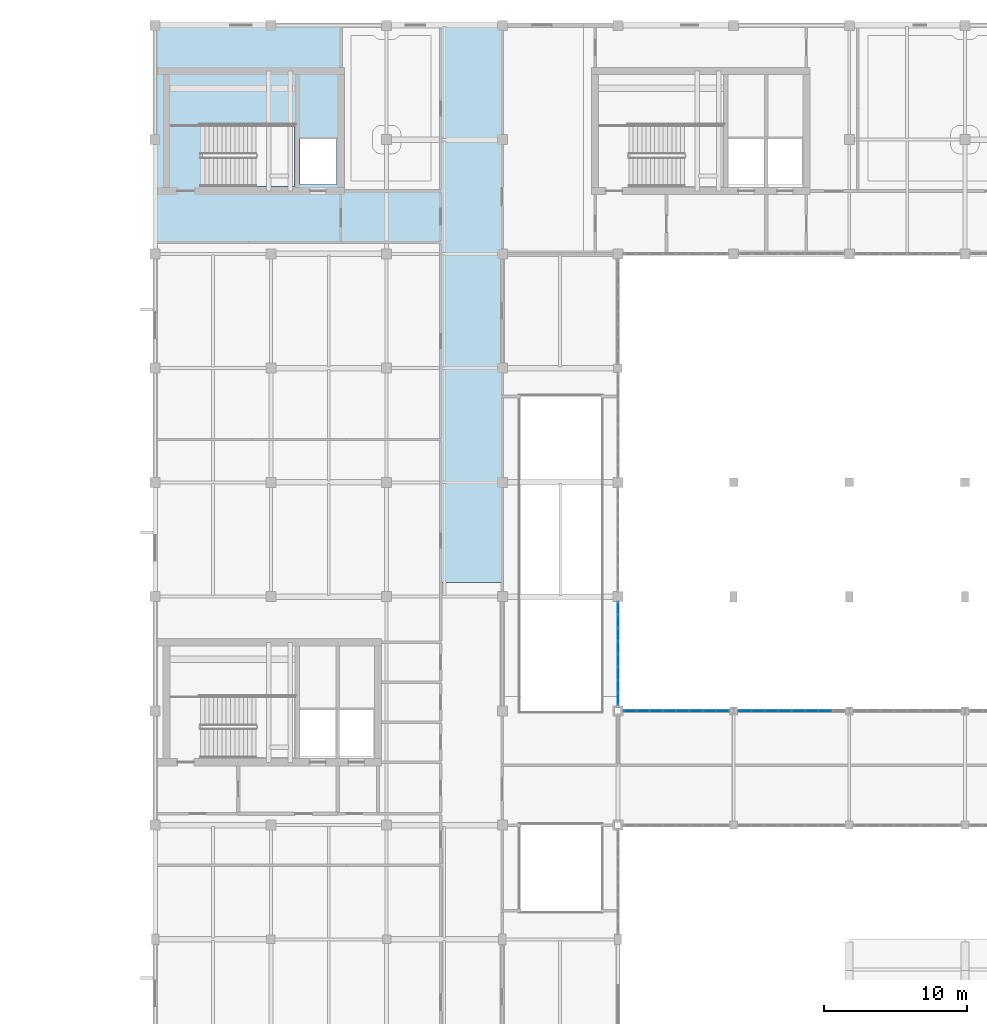
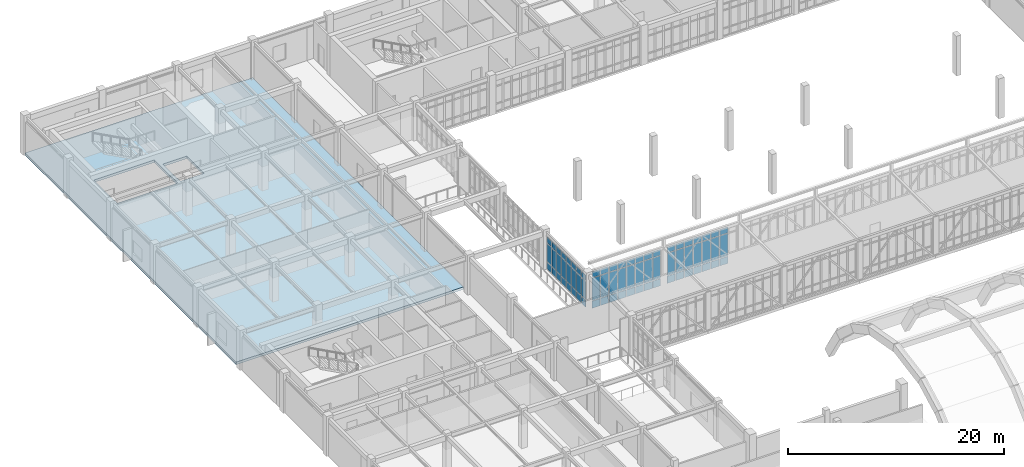
# One storey, part 39 of 67: 69 plates, 1 slab, 3 elements without a shape of their own.
"""IFC4 building model written with IfcOpenShell, lengths in metres."""

from ifc_helpers import new_model, si_unit, direction, frame, origin, origin_2d, place, context, subcontext, project, spatial, polyline, rectangle, outline, extrude, material, layer, layer_set, type_object, element, aggregate, save


model = new_model("IFC4")

# Units and contexts
model_context = context("Model", 3, precision=1e-05, world=origin(), true_north=direction((0.0, 1.0)))
body_context = subcontext(model_context, "Body", "Model", "MODEL_VIEW")
ifc_project = project(units=[si_unit("LENGTHUNIT", "METRE"), si_unit("AREAUNIT", "SQUARE_METRE"), si_unit("VOLUMEUNIT", "CUBIC_METRE"), si_unit("PLANEANGLEUNIT", "RADIAN"), si_unit("MASSUNIT", "GRAM", prefix="KILO")], contexts=[model_context])

# Site, building, storey
site_placement = place(None, origin())
site = spatial("IfcSite", under=ifc_project, at=site_placement, CompositionType="ELEMENT")
building_placement = place(site_placement, origin())
building = spatial("IfcBuilding", under=site, at=building_placement, Name="Tarnveldt Square Police Headquarters", CompositionType="ELEMENT")
storey_placement = place(building_placement, frame((0.0, 0.0, 10.199951171875)))
storey = spatial("IfcBuildingStorey", under=building, at=storey_placement, Name="L02", CompositionType="ELEMENT", Elevation=10.199951171875)

# Curtain wall, plates
ifc_material_1 = material(Name="Triple-glazed low-e laminated vision glass", Category="glass")
curtain_wall_type_1 = type_object("IfcCurtainWallType", Name="CW-WG-727x377", PredefinedType="USERDEFINED", material=ifc_material_1)
curtain_wall_1_placement = place(storey_placement, origin())
curtain_wall_1 = element("IfcCurtainWall", 1, at=curtain_wall_1_placement, inside=storey, type_object=curtain_wall_type_1, Name="L02 Curtain Wall CW-L02-074", ObjectType="GLAZED CURTAIN WALL", PredefinedType="USERDEFINED")
ifc_layer_1 = layer(ifc_material_1, 0.028076171875)
ifc_layer_set_1 = layer_set([ifc_layer_1], Name="Triple-glazed low-e laminated vision glass")
plate_type = type_object("IfcPlateType", Name="CWP-VIS-28", PredefinedType="CURTAIN_PANEL", material=ifc_layer_set_1)
plate_1_placement = place(storey_placement, frame((48.60009765625, 64.838134765625, 0.074951171875), z_axis=(0.0, 0.0, 1.0), x_axis=(0.0, 1.0, 0.0)))
plate_1 = element("IfcPlate", 2, at=plate_1_placement, type_object=plate_type, Name="CW-WG34 panel 1.1", PredefinedType="CURTAIN_PANEL", context=body_context, shape_type="SweptSolid", body=[
    extrude(rectangle(XDim=0.796142578125, YDim=0.028076171875, at=origin_2d()), origin(), (0.0, 0.0, 1.0), 0.78759765625),
])
plate_2_placement = place(storey_placement, frame((48.60009765625, 64.838134765625, 0.9375), z_axis=(0.0, 0.0, 1.0), x_axis=(0.0, 1.0, 0.0)))
plate_2 = element("IfcPlate", 3, at=plate_2_placement, type_object=plate_type, Name="CW-WG34 panel 1.2", PredefinedType="CURTAIN_PANEL", context=body_context, shape_type="SweptSolid", body=[
    extrude(rectangle(XDim=0.796142578125, YDim=0.028076171875, at=origin_2d()), origin(), (0.0, 0.0, 1.0), 2.0439453125),
])
plate_3_placement = place(storey_placement, frame((48.60009765625, 64.838134765625, 3.056640625), z_axis=(0.0, 0.0, 1.0), x_axis=(0.0, 1.0, 0.0)))
plate_3 = element("IfcPlate", 4, at=plate_3_placement, type_object=plate_type, Name="CW-WG34 panel 1.3", PredefinedType="CURTAIN_PANEL", context=body_context, shape_type="SweptSolid", body=[
    extrude(rectangle(XDim=0.796142578125, YDim=0.028076171875, at=origin_2d()), origin(), (0.0, 0.0, 1.0), 0.637451171875),
])
plate_4_placement = place(storey_placement, frame((48.60009765625, 65.72802734375, 0.074951171875), z_axis=(0.0, 0.0, 1.0), x_axis=(0.0, 1.0, 0.0)))
plate_4 = element("IfcPlate", 5, at=plate_4_placement, type_object=plate_type, Name="CW-WG34 panel 2.1", PredefinedType="CURTAIN_PANEL", context=body_context, shape_type="SweptSolid", body=[
    extrude(rectangle(XDim=0.833740234375, YDim=0.028076171875, at=origin_2d()), origin(), (0.0, 0.0, 1.0), 0.78759765625),
])
plate_5_placement = place(storey_placement, frame((48.60009765625, 65.72802734375, 0.9375), z_axis=(0.0, 0.0, 1.0), x_axis=(0.0, 1.0, 0.0)))
plate_5 = element("IfcPlate", 6, at=plate_5_placement, type_object=plate_type, Name="CW-WG34 panel 2.2", PredefinedType="CURTAIN_PANEL", context=body_context, shape_type="SweptSolid", body=[
    extrude(rectangle(XDim=0.833740234375, YDim=0.028076171875, at=origin_2d()), origin(), (0.0, 0.0, 1.0), 2.0439453125),
])
plate_6_placement = place(storey_placement, frame((48.60009765625, 65.72802734375, 3.056640625), z_axis=(0.0, 0.0, 1.0), x_axis=(0.0, 1.0, 0.0)))
plate_6 = element("IfcPlate", 7, at=plate_6_placement, type_object=plate_type, Name="CW-WG34 panel 2.3", PredefinedType="CURTAIN_PANEL", context=body_context, shape_type="SweptSolid", body=[
    extrude(rectangle(XDim=0.833740234375, YDim=0.028076171875, at=origin_2d()), origin(), (0.0, 0.0, 1.0), 0.637451171875),
])
plate_7_placement = place(storey_placement, frame((48.60009765625, 66.636962890625, 0.074951171875), z_axis=(0.0, 0.0, 1.0), x_axis=(0.0, 1.0, 0.0)))
plate_7 = element("IfcPlate", 8, at=plate_7_placement, type_object=plate_type, Name="CW-WG34 panel 3.1", PredefinedType="CURTAIN_PANEL", context=body_context, shape_type="SweptSolid", body=[
    extrude(rectangle(XDim=0.833740234375, YDim=0.028076171875, at=origin_2d()), origin(), (0.0, 0.0, 1.0), 0.78759765625),
])
plate_8_placement = place(storey_placement, frame((48.60009765625, 66.636962890625, 0.9375), z_axis=(0.0, 0.0, 1.0), x_axis=(0.0, 1.0, 0.0)))
plate_8 = element("IfcPlate", 9, at=plate_8_placement, type_object=plate_type, Name="CW-WG34 panel 3.2", PredefinedType="CURTAIN_PANEL", context=body_context, shape_type="SweptSolid", body=[
    extrude(rectangle(XDim=0.833740234375, YDim=0.028076171875, at=origin_2d()), origin(), (0.0, 0.0, 1.0), 2.0439453125),
])
plate_9_placement = place(storey_placement, frame((48.60009765625, 66.636962890625, 3.056640625), z_axis=(0.0, 0.0, 1.0), x_axis=(0.0, 1.0, 0.0)))
plate_9 = element("IfcPlate", 10, at=plate_9_placement, type_object=plate_type, Name="CW-WG34 panel 3.3", PredefinedType="CURTAIN_PANEL", context=body_context, shape_type="SweptSolid", body=[
    extrude(rectangle(XDim=0.833740234375, YDim=0.028076171875, at=origin_2d()), origin(), (0.0, 0.0, 1.0), 0.637451171875),
])
plate_10_placement = place(storey_placement, frame((48.60009765625, 67.545654296875, 0.074951171875), z_axis=(0.0, 0.0, 1.0), x_axis=(0.0, 1.0, 0.0)))
plate_10 = element("IfcPlate", 11, at=plate_10_placement, type_object=plate_type, Name="CW-WG34 panel 4.1", PredefinedType="CURTAIN_PANEL", context=body_context, shape_type="SweptSolid", body=[
    extrude(rectangle(XDim=0.833740234375, YDim=0.028076171875, at=origin_2d()), origin(), (0.0, 0.0, 1.0), 0.78759765625),
])
plate_11_placement = place(storey_placement, frame((48.60009765625, 67.545654296875, 0.9375), z_axis=(0.0, 0.0, 1.0), x_axis=(0.0, 1.0, 0.0)))
plate_11 = element("IfcPlate", 12, at=plate_11_placement, type_object=plate_type, Name="CW-WG34 panel 4.2", PredefinedType="CURTAIN_PANEL", context=body_context, shape_type="SweptSolid", body=[
    extrude(rectangle(XDim=0.833740234375, YDim=0.028076171875, at=origin_2d()), origin(), (0.0, 0.0, 1.0), 2.0439453125),
])
plate_12_placement = place(storey_placement, frame((48.60009765625, 67.545654296875, 3.056640625), z_axis=(0.0, 0.0, 1.0), x_axis=(0.0, 1.0, 0.0)))
plate_12 = element("IfcPlate", 13, at=plate_12_placement, type_object=plate_type, Name="CW-WG34 panel 4.3", PredefinedType="CURTAIN_PANEL", context=body_context, shape_type="SweptSolid", body=[
    extrude(rectangle(XDim=0.833740234375, YDim=0.028076171875, at=origin_2d()), origin(), (0.0, 0.0, 1.0), 0.637451171875),
])
plate_13_placement = place(storey_placement, frame((48.60009765625, 68.454345703125, 0.074951171875), z_axis=(0.0, 0.0, 1.0), x_axis=(0.0, 1.0, 0.0)))
plate_13 = element("IfcPlate", 14, at=plate_13_placement, type_object=plate_type, Name="CW-WG34 panel 5.1", PredefinedType="CURTAIN_PANEL", context=body_context, shape_type="SweptSolid", body=[
    extrude(rectangle(XDim=0.833740234375, YDim=0.028076171875, at=origin_2d()), origin(), (0.0, 0.0, 1.0), 0.78759765625),
])
plate_14_placement = place(storey_placement, frame((48.60009765625, 68.454345703125, 0.9375), z_axis=(0.0, 0.0, 1.0), x_axis=(0.0, 1.0, 0.0)))
plate_14 = element("IfcPlate", 15, at=plate_14_placement, type_object=plate_type, Name="CW-WG34 panel 5.2", PredefinedType="CURTAIN_PANEL", context=body_context, shape_type="SweptSolid", body=[
    extrude(rectangle(XDim=0.833740234375, YDim=0.028076171875, at=origin_2d()), origin(), (0.0, 0.0, 1.0), 2.0439453125),
])
plate_15_placement = place(storey_placement, frame((48.60009765625, 68.454345703125, 3.056640625), z_axis=(0.0, 0.0, 1.0), x_axis=(0.0, 1.0, 0.0)))
plate_15 = element("IfcPlate", 16, at=plate_15_placement, type_object=plate_type, Name="CW-WG34 panel 5.3", PredefinedType="CURTAIN_PANEL", context=body_context, shape_type="SweptSolid", body=[
    extrude(rectangle(XDim=0.833740234375, YDim=0.028076171875, at=origin_2d()), origin(), (0.0, 0.0, 1.0), 0.637451171875),
])
plate_16_placement = place(storey_placement, frame((48.60009765625, 69.363037109375, 0.074951171875), z_axis=(0.0, 0.0, 1.0), x_axis=(0.0, 1.0, 0.0)))
plate_16 = element("IfcPlate", 17, at=plate_16_placement, type_object=plate_type, Name="CW-WG34 panel 6.1", PredefinedType="CURTAIN_PANEL", context=body_context, shape_type="SweptSolid", body=[
    extrude(rectangle(XDim=0.833740234375, YDim=0.028076171875, at=origin_2d()), origin(), (0.0, 0.0, 1.0), 0.78759765625),
])
plate_17_placement = place(storey_placement, frame((48.60009765625, 69.363037109375, 0.9375), z_axis=(0.0, 0.0, 1.0), x_axis=(0.0, 1.0, 0.0)))
plate_17 = element("IfcPlate", 18, at=plate_17_placement, type_object=plate_type, Name="CW-WG34 panel 6.2", PredefinedType="CURTAIN_PANEL", context=body_context, shape_type="SweptSolid", body=[
    extrude(rectangle(XDim=0.833740234375, YDim=0.028076171875, at=origin_2d()), origin(), (0.0, 0.0, 1.0), 2.0439453125),
])
plate_18_placement = place(storey_placement, frame((48.60009765625, 69.363037109375, 3.056640625), z_axis=(0.0, 0.0, 1.0), x_axis=(0.0, 1.0, 0.0)))
plate_18 = element("IfcPlate", 19, at=plate_18_placement, type_object=plate_type, Name="CW-WG34 panel 6.3", PredefinedType="CURTAIN_PANEL", context=body_context, shape_type="SweptSolid", body=[
    extrude(rectangle(XDim=0.833740234375, YDim=0.028076171875, at=origin_2d()), origin(), (0.0, 0.0, 1.0), 0.637451171875),
])
plate_19_placement = place(storey_placement, frame((48.60009765625, 70.27197265625, 0.074951171875), z_axis=(0.0, 0.0, 1.0), x_axis=(0.0, 1.0, 0.0)))
plate_19 = element("IfcPlate", 20, at=plate_19_placement, type_object=plate_type, Name="CW-WG34 panel 7.1", PredefinedType="CURTAIN_PANEL", context=body_context, shape_type="SweptSolid", body=[
    extrude(rectangle(XDim=0.833740234375, YDim=0.028076171875, at=origin_2d()), origin(), (0.0, 0.0, 1.0), 0.78759765625),
])
plate_20_placement = place(storey_placement, frame((48.60009765625, 70.27197265625, 0.9375), z_axis=(0.0, 0.0, 1.0), x_axis=(0.0, 1.0, 0.0)))
plate_20 = element("IfcPlate", 21, at=plate_20_placement, type_object=plate_type, Name="CW-WG34 panel 7.2", PredefinedType="CURTAIN_PANEL", context=body_context, shape_type="SweptSolid", body=[
    extrude(rectangle(XDim=0.833740234375, YDim=0.028076171875, at=origin_2d()), origin(), (0.0, 0.0, 1.0), 2.0439453125),
])
plate_21_placement = place(storey_placement, frame((48.60009765625, 70.27197265625, 3.056640625), z_axis=(0.0, 0.0, 1.0), x_axis=(0.0, 1.0, 0.0)))
plate_21 = element("IfcPlate", 22, at=plate_21_placement, type_object=plate_type, Name="CW-WG34 panel 7.3", PredefinedType="CURTAIN_PANEL", context=body_context, shape_type="SweptSolid", body=[
    extrude(rectangle(XDim=0.833740234375, YDim=0.028076171875, at=origin_2d()), origin(), (0.0, 0.0, 1.0), 0.637451171875),
])
plate_22_placement = place(storey_placement, frame((48.60009765625, 71.161865234375, 0.074951171875), z_axis=(0.0, 0.0, 1.0), x_axis=(0.0, 1.0, 0.0)))
plate_22 = element("IfcPlate", 23, at=plate_22_placement, type_object=plate_type, Name="CW-WG34 panel 8.1", PredefinedType="CURTAIN_PANEL", context=body_context, shape_type="SweptSolid", body=[
    extrude(rectangle(XDim=0.796142578125, YDim=0.028076171875, at=origin_2d()), origin(), (0.0, 0.0, 1.0), 0.78759765625),
])
plate_23_placement = place(storey_placement, frame((48.60009765625, 71.161865234375, 0.9375), z_axis=(0.0, 0.0, 1.0), x_axis=(0.0, 1.0, 0.0)))
plate_23 = element("IfcPlate", 24, at=plate_23_placement, type_object=plate_type, Name="CW-WG34 panel 8.2", PredefinedType="CURTAIN_PANEL", context=body_context, shape_type="SweptSolid", body=[
    extrude(rectangle(XDim=0.796142578125, YDim=0.028076171875, at=origin_2d()), origin(), (0.0, 0.0, 1.0), 2.0439453125),
])
plate_24_placement = place(storey_placement, frame((48.60009765625, 71.161865234375, 3.056640625), z_axis=(0.0, 0.0, 1.0), x_axis=(0.0, 1.0, 0.0)))
plate_24 = element("IfcPlate", 25, at=plate_24_placement, type_object=plate_type, Name="CW-WG34 panel 8.3", PredefinedType="CURTAIN_PANEL", context=body_context, shape_type="SweptSolid", body=[
    extrude(rectangle(XDim=0.796142578125, YDim=0.028076171875, at=origin_2d()), origin(), (0.0, 0.0, 1.0), 0.637451171875),
])
aggregate(curtain_wall_1, [plate_1, plate_2, plate_3, plate_4, plate_5, plate_6, plate_7, plate_8, plate_9, plate_10, plate_11, plate_12, plate_13, plate_14, plate_15, plate_16, plate_17, plate_18, plate_19, plate_20, plate_21, plate_22, plate_23, plate_24])

curtain_wall_type_2 = type_object("IfcCurtainWallType", Name="CW-SB-744x424", PredefinedType="USERDEFINED", material=ifc_material_1)
curtain_wall_2_placement = place(storey_placement, origin())
curtain_wall_2 = element("IfcCurtainWall", 26, at=curtain_wall_2_placement, inside=storey, type_object=curtain_wall_type_2, Name="L02 Curtain Wall CW-L02-145", ObjectType="GLAZED CURTAIN WALL", PredefinedType="USERDEFINED")
plate_25_placement = place(storey_placement, frame((49.446533203125, 64.0, 0.06494140625), z_axis=(0.0, 0.0, 1.0), x_axis=(1.0, 0.0, 0.0)))
plate_25 = element("IfcPlate", 27, at=plate_25_placement, type_object=plate_type, Name="CW-SB85 panel 1.1", PredefinedType="CURTAIN_PANEL", context=body_context, shape_type="SweptSolid", body=[
    extrude(rectangle(XDim=0.8330078125, YDim=0.028076171875, at=origin_2d()), origin(), (0.0, 0.0, 1.0), 0.802490234375),
])
plate_26_placement = place(storey_placement, frame((49.446533203125, 64.0, 0.9326171875), z_axis=(0.0, 0.0, 1.0), x_axis=(1.0, 0.0, 0.0)))
plate_26 = element("IfcPlate", 28, at=plate_26_placement, type_object=plate_type, Name="CW-SB85 panel 1.2", PredefinedType="CURTAIN_PANEL", context=body_context, shape_type="SweptSolid", body=[
    extrude(rectangle(XDim=0.8330078125, YDim=0.028076171875, at=origin_2d()), origin(), (0.0, 0.0, 1.0), 2.52490234375),
])
plate_27_placement = place(storey_placement, frame((49.446533203125, 64.0, 3.5224609375), z_axis=(0.0, 0.0, 1.0), x_axis=(1.0, 0.0, 0.0)))
plate_27 = element("IfcPlate", 29, at=plate_27_placement, type_object=plate_type, Name="CW-SB85 panel 1.3", PredefinedType="CURTAIN_PANEL", context=body_context, shape_type="SweptSolid", body=[
    extrude(rectangle(XDim=0.8330078125, YDim=0.028076171875, at=origin_2d()), origin(), (0.0, 0.0, 1.0), 0.652587890625),
])
plate_28_placement = place(storey_placement, frame((50.36083984375, 64.0, 0.06494140625), z_axis=(0.0, 0.0, 1.0), x_axis=(1.0, 0.0, 0.0)))
plate_28 = element("IfcPlate", 30, at=plate_28_placement, type_object=plate_type, Name="CW-SB85 panel 2.1", PredefinedType="CURTAIN_PANEL", context=body_context, shape_type="SweptSolid", body=[
    extrude(rectangle(XDim=0.86572265625, YDim=0.028076171875, at=origin_2d()), origin(), (0.0, 0.0, 1.0), 0.802490234375),
])
plate_29_placement = place(storey_placement, frame((50.36083984375, 64.0, 0.9326171875), z_axis=(0.0, 0.0, 1.0), x_axis=(1.0, 0.0, 0.0)))
plate_29 = element("IfcPlate", 31, at=plate_29_placement, type_object=plate_type, Name="CW-SB85 panel 2.2", PredefinedType="CURTAIN_PANEL", context=body_context, shape_type="SweptSolid", body=[
    extrude(rectangle(XDim=0.86572265625, YDim=0.028076171875, at=origin_2d()), origin(), (0.0, 0.0, 1.0), 2.52490234375),
])
plate_30_placement = place(storey_placement, frame((50.36083984375, 64.0, 3.5224609375), z_axis=(0.0, 0.0, 1.0), x_axis=(1.0, 0.0, 0.0)))
plate_30 = element("IfcPlate", 32, at=plate_30_placement, type_object=plate_type, Name="CW-SB85 panel 2.3", PredefinedType="CURTAIN_PANEL", context=body_context, shape_type="SweptSolid", body=[
    extrude(rectangle(XDim=0.86572265625, YDim=0.028076171875, at=origin_2d()), origin(), (0.0, 0.0, 1.0), 0.652587890625),
])
plate_31_placement = place(storey_placement, frame((51.29150390625, 64.0, 0.06494140625), z_axis=(0.0, 0.0, 1.0), x_axis=(1.0, 0.0, 0.0)))
plate_31 = element("IfcPlate", 33, at=plate_31_placement, type_object=plate_type, Name="CW-SB85 panel 3.1", PredefinedType="CURTAIN_PANEL", context=body_context, shape_type="SweptSolid", body=[
    extrude(rectangle(XDim=0.86572265625, YDim=0.028076171875, at=origin_2d()), origin(), (0.0, 0.0, 1.0), 0.802490234375),
])
plate_32_placement = place(storey_placement, frame((51.29150390625, 64.0, 0.9326171875), z_axis=(0.0, 0.0, 1.0), x_axis=(1.0, 0.0, 0.0)))
plate_32 = element("IfcPlate", 34, at=plate_32_placement, type_object=plate_type, Name="CW-SB85 panel 3.2", PredefinedType="CURTAIN_PANEL", context=body_context, shape_type="SweptSolid", body=[
    extrude(rectangle(XDim=0.86572265625, YDim=0.028076171875, at=origin_2d()), origin(), (0.0, 0.0, 1.0), 2.52490234375),
])
plate_33_placement = place(storey_placement, frame((51.29150390625, 64.0, 3.5224609375), z_axis=(0.0, 0.0, 1.0), x_axis=(1.0, 0.0, 0.0)))
plate_33 = element("IfcPlate", 35, at=plate_33_placement, type_object=plate_type, Name="CW-SB85 panel 3.3", PredefinedType="CURTAIN_PANEL", context=body_context, shape_type="SweptSolid", body=[
    extrude(rectangle(XDim=0.86572265625, YDim=0.028076171875, at=origin_2d()), origin(), (0.0, 0.0, 1.0), 0.652587890625),
])
plate_34_placement = place(storey_placement, frame((52.22216796875, 64.0, 0.06494140625), z_axis=(0.0, 0.0, 1.0), x_axis=(1.0, 0.0, 0.0)))
plate_34 = element("IfcPlate", 36, at=plate_34_placement, type_object=plate_type, Name="CW-SB85 panel 4.1", PredefinedType="CURTAIN_PANEL", context=body_context, shape_type="SweptSolid", body=[
    extrude(rectangle(XDim=0.86572265625, YDim=0.028076171875, at=origin_2d()), origin(), (0.0, 0.0, 1.0), 0.802490234375),
])
plate_35_placement = place(storey_placement, frame((52.22216796875, 64.0, 0.9326171875), z_axis=(0.0, 0.0, 1.0), x_axis=(1.0, 0.0, 0.0)))
plate_35 = element("IfcPlate", 37, at=plate_35_placement, type_object=plate_type, Name="CW-SB85 panel 4.2", PredefinedType="CURTAIN_PANEL", context=body_context, shape_type="SweptSolid", body=[
    extrude(rectangle(XDim=0.86572265625, YDim=0.028076171875, at=origin_2d()), origin(), (0.0, 0.0, 1.0), 2.52490234375),
])
plate_36_placement = place(storey_placement, frame((52.22216796875, 64.0, 3.5224609375), z_axis=(0.0, 0.0, 1.0), x_axis=(1.0, 0.0, 0.0)))
plate_36 = element("IfcPlate", 38, at=plate_36_placement, type_object=plate_type, Name="CW-SB85 panel 4.3", PredefinedType="CURTAIN_PANEL", context=body_context, shape_type="SweptSolid", body=[
    extrude(rectangle(XDim=0.86572265625, YDim=0.028076171875, at=origin_2d()), origin(), (0.0, 0.0, 1.0), 0.652587890625),
])
plate_37_placement = place(storey_placement, frame((53.15283203125, 64.0, 0.06494140625), z_axis=(0.0, 0.0, 1.0), x_axis=(1.0, 0.0, 0.0)))
plate_37 = element("IfcPlate", 39, at=plate_37_placement, type_object=plate_type, Name="CW-SB85 panel 5.1", PredefinedType="CURTAIN_PANEL", context=body_context, shape_type="SweptSolid", body=[
    extrude(rectangle(XDim=0.86572265625, YDim=0.028076171875, at=origin_2d()), origin(), (0.0, 0.0, 1.0), 0.802490234375),
])
plate_38_placement = place(storey_placement, frame((53.15283203125, 64.0, 0.9326171875), z_axis=(0.0, 0.0, 1.0), x_axis=(1.0, 0.0, 0.0)))
plate_38 = element("IfcPlate", 40, at=plate_38_placement, type_object=plate_type, Name="CW-SB85 panel 5.2", PredefinedType="CURTAIN_PANEL", context=body_context, shape_type="SweptSolid", body=[
    extrude(rectangle(XDim=0.86572265625, YDim=0.028076171875, at=origin_2d()), origin(), (0.0, 0.0, 1.0), 2.52490234375),
])
plate_39_placement = place(storey_placement, frame((53.15283203125, 64.0, 3.5224609375), z_axis=(0.0, 0.0, 1.0), x_axis=(1.0, 0.0, 0.0)))
plate_39 = element("IfcPlate", 41, at=plate_39_placement, type_object=plate_type, Name="CW-SB85 panel 5.3", PredefinedType="CURTAIN_PANEL", context=body_context, shape_type="SweptSolid", body=[
    extrude(rectangle(XDim=0.86572265625, YDim=0.028076171875, at=origin_2d()), origin(), (0.0, 0.0, 1.0), 0.652587890625),
])
plate_40_placement = place(storey_placement, frame((54.08349609375, 64.0, 0.06494140625), z_axis=(0.0, 0.0, 1.0), x_axis=(1.0, 0.0, 0.0)))
plate_40 = element("IfcPlate", 42, at=plate_40_placement, type_object=plate_type, Name="CW-SB85 panel 6.1", PredefinedType="CURTAIN_PANEL", context=body_context, shape_type="SweptSolid", body=[
    extrude(rectangle(XDim=0.86572265625, YDim=0.028076171875, at=origin_2d()), origin(), (0.0, 0.0, 1.0), 0.802490234375),
])
plate_41_placement = place(storey_placement, frame((54.08349609375, 64.0, 0.9326171875), z_axis=(0.0, 0.0, 1.0), x_axis=(1.0, 0.0, 0.0)))
plate_41 = element("IfcPlate", 43, at=plate_41_placement, type_object=plate_type, Name="CW-SB85 panel 6.2", PredefinedType="CURTAIN_PANEL", context=body_context, shape_type="SweptSolid", body=[
    extrude(rectangle(XDim=0.86572265625, YDim=0.028076171875, at=origin_2d()), origin(), (0.0, 0.0, 1.0), 2.52490234375),
])
plate_42_placement = place(storey_placement, frame((54.08349609375, 64.0, 3.5224609375), z_axis=(0.0, 0.0, 1.0), x_axis=(1.0, 0.0, 0.0)))
plate_42 = element("IfcPlate", 44, at=plate_42_placement, type_object=plate_type, Name="CW-SB85 panel 6.3", PredefinedType="CURTAIN_PANEL", context=body_context, shape_type="SweptSolid", body=[
    extrude(rectangle(XDim=0.86572265625, YDim=0.028076171875, at=origin_2d()), origin(), (0.0, 0.0, 1.0), 0.652587890625),
])
plate_43_placement = place(storey_placement, frame((55.01416015625, 64.0, 0.06494140625), z_axis=(0.0, 0.0, 1.0), x_axis=(1.0, 0.0, 0.0)))
plate_43 = element("IfcPlate", 45, at=plate_43_placement, type_object=plate_type, Name="CW-SB85 panel 7.1", PredefinedType="CURTAIN_PANEL", context=body_context, shape_type="SweptSolid", body=[
    extrude(rectangle(XDim=0.86572265625, YDim=0.028076171875, at=origin_2d()), origin(), (0.0, 0.0, 1.0), 0.802490234375),
])
plate_44_placement = place(storey_placement, frame((55.01416015625, 64.0, 0.9326171875), z_axis=(0.0, 0.0, 1.0), x_axis=(1.0, 0.0, 0.0)))
plate_44 = element("IfcPlate", 46, at=plate_44_placement, type_object=plate_type, Name="CW-SB85 panel 7.2", PredefinedType="CURTAIN_PANEL", context=body_context, shape_type="SweptSolid", body=[
    extrude(rectangle(XDim=0.86572265625, YDim=0.028076171875, at=origin_2d()), origin(), (0.0, 0.0, 1.0), 2.52490234375),
])
plate_45_placement = place(storey_placement, frame((55.01416015625, 64.0, 3.5224609375), z_axis=(0.0, 0.0, 1.0), x_axis=(1.0, 0.0, 0.0)))
plate_45 = element("IfcPlate", 47, at=plate_45_placement, type_object=plate_type, Name="CW-SB85 panel 7.3", PredefinedType="CURTAIN_PANEL", context=body_context, shape_type="SweptSolid", body=[
    extrude(rectangle(XDim=0.86572265625, YDim=0.028076171875, at=origin_2d()), origin(), (0.0, 0.0, 1.0), 0.652587890625),
])
plate_46_placement = place(storey_placement, frame((55.928466796875, 64.0, 0.06494140625), z_axis=(0.0, 0.0, 1.0), x_axis=(1.0, 0.0, 0.0)))
plate_46 = element("IfcPlate", 48, at=plate_46_placement, type_object=plate_type, Name="CW-SB85 panel 8.1", PredefinedType="CURTAIN_PANEL", context=body_context, shape_type="SweptSolid", body=[
    extrude(rectangle(XDim=0.8330078125, YDim=0.028076171875, at=origin_2d()), origin(), (0.0, 0.0, 1.0), 0.802490234375),
])
plate_47_placement = place(storey_placement, frame((55.928466796875, 64.0, 0.9326171875), z_axis=(0.0, 0.0, 1.0), x_axis=(1.0, 0.0, 0.0)))
plate_47 = element("IfcPlate", 49, at=plate_47_placement, type_object=plate_type, Name="CW-SB85 panel 8.2", PredefinedType="CURTAIN_PANEL", context=body_context, shape_type="SweptSolid", body=[
    extrude(rectangle(XDim=0.8330078125, YDim=0.028076171875, at=origin_2d()), origin(), (0.0, 0.0, 1.0), 2.52490234375),
])
plate_48_placement = place(storey_placement, frame((55.928466796875, 64.0, 3.5224609375), z_axis=(0.0, 0.0, 1.0), x_axis=(1.0, 0.0, 0.0)))
plate_48 = element("IfcPlate", 50, at=plate_48_placement, type_object=plate_type, Name="CW-SB85 panel 8.3", PredefinedType="CURTAIN_PANEL", context=body_context, shape_type="SweptSolid", body=[
    extrude(rectangle(XDim=0.8330078125, YDim=0.028076171875, at=origin_2d()), origin(), (0.0, 0.0, 1.0), 0.652587890625),
])
aggregate(curtain_wall_2, [plate_25, plate_26, plate_27, plate_28, plate_29, plate_30, plate_31, plate_32, plate_33, plate_34, plate_35, plate_36, plate_37, plate_38, plate_39, plate_40, plate_41, plate_42, plate_43, plate_44, plate_45, plate_46, plate_47, plate_48])

curtain_wall_type_3 = type_object("IfcCurtainWallType", Name="CW-SB-752x424", PredefinedType="USERDEFINED", material=ifc_material_1)
curtain_wall_3_placement = place(storey_placement, origin())
curtain_wall_3 = element("IfcCurtainWall", 51, at=curtain_wall_3_placement, inside=storey, type_object=curtain_wall_type_3, Name="L02 Curtain Wall CW-L02-146", ObjectType="GLAZED CURTAIN WALL", PredefinedType="USERDEFINED")
plate_49_placement = place(storey_placement, frame((57.476318359375, 64.0, 0.06494140625), z_axis=(0.0, 0.0, 1.0), x_axis=(1.0, 0.0, 0.0)))
plate_49 = element("IfcPlate", 52, at=plate_49_placement, type_object=plate_type, Name="CW-SB86 panel 1.1", PredefinedType="CURTAIN_PANEL", context=body_context, shape_type="SweptSolid", body=[
    extrude(rectangle(XDim=0.842529296875, YDim=0.028076171875, at=origin_2d()), origin(), (0.0, 0.0, 1.0), 0.802490234375),
])
plate_50_placement = place(storey_placement, frame((57.476318359375, 64.0, 0.9326171875), z_axis=(0.0, 0.0, 1.0), x_axis=(1.0, 0.0, 0.0)))
plate_50 = element("IfcPlate", 53, at=plate_50_placement, type_object=plate_type, Name="CW-SB86 panel 1.2", PredefinedType="CURTAIN_PANEL", context=body_context, shape_type="SweptSolid", body=[
    extrude(rectangle(XDim=0.842529296875, YDim=0.028076171875, at=origin_2d()), origin(), (0.0, 0.0, 1.0), 2.52490234375),
])
plate_51_placement = place(storey_placement, frame((57.476318359375, 64.0, 3.5224609375), z_axis=(0.0, 0.0, 1.0), x_axis=(1.0, 0.0, 0.0)))
plate_51 = element("IfcPlate", 54, at=plate_51_placement, type_object=plate_type, Name="CW-SB86 panel 1.3", PredefinedType="CURTAIN_PANEL", context=body_context, shape_type="SweptSolid", body=[
    extrude(rectangle(XDim=0.842529296875, YDim=0.028076171875, at=origin_2d()), origin(), (0.0, 0.0, 1.0), 0.652587890625),
])
plate_52_placement = place(storey_placement, frame((58.39990234375, 64.0, 0.06494140625), z_axis=(0.0, 0.0, 1.0), x_axis=(1.0, 0.0, 0.0)))
plate_52 = element("IfcPlate", 55, at=plate_52_placement, type_object=plate_type, Name="CW-SB86 panel 2.1", PredefinedType="CURTAIN_PANEL", context=body_context, shape_type="SweptSolid", body=[
    extrude(rectangle(XDim=0.875, YDim=0.028076171875, at=origin_2d()), origin(), (0.0, 0.0, 1.0), 0.802490234375),
])
plate_53_placement = place(storey_placement, frame((58.39990234375, 64.0, 0.9326171875), z_axis=(0.0, 0.0, 1.0), x_axis=(1.0, 0.0, 0.0)))
plate_53 = element("IfcPlate", 56, at=plate_53_placement, type_object=plate_type, Name="CW-SB86 panel 2.2", PredefinedType="CURTAIN_PANEL", context=body_context, shape_type="SweptSolid", body=[
    extrude(rectangle(XDim=0.875, YDim=0.028076171875, at=origin_2d()), origin(), (0.0, 0.0, 1.0), 2.52490234375),
])
plate_54_placement = place(storey_placement, frame((58.39990234375, 64.0, 3.5224609375), z_axis=(0.0, 0.0, 1.0), x_axis=(1.0, 0.0, 0.0)))
plate_54 = element("IfcPlate", 57, at=plate_54_placement, type_object=plate_type, Name="CW-SB86 panel 2.3", PredefinedType="CURTAIN_PANEL", context=body_context, shape_type="SweptSolid", body=[
    extrude(rectangle(XDim=0.875, YDim=0.028076171875, at=origin_2d()), origin(), (0.0, 0.0, 1.0), 0.652587890625),
])
plate_55_placement = place(storey_placement, frame((59.340087890625, 64.0, 0.06494140625), z_axis=(0.0, 0.0, 1.0), x_axis=(1.0, 0.0, 0.0)))
plate_55 = element("IfcPlate", 58, at=plate_55_placement, type_object=plate_type, Name="CW-SB86 panel 3.1", PredefinedType="CURTAIN_PANEL", context=body_context, shape_type="SweptSolid", body=[
    extrude(rectangle(XDim=0.875, YDim=0.028076171875, at=origin_2d()), origin(), (0.0, 0.0, 1.0), 0.802490234375),
])
plate_56_placement = place(storey_placement, frame((59.340087890625, 64.0, 0.9326171875), z_axis=(0.0, 0.0, 1.0), x_axis=(1.0, 0.0, 0.0)))
plate_56 = element("IfcPlate", 59, at=plate_56_placement, type_object=plate_type, Name="CW-SB86 panel 3.2", PredefinedType="CURTAIN_PANEL", context=body_context, shape_type="SweptSolid", body=[
    extrude(rectangle(XDim=0.875, YDim=0.028076171875, at=origin_2d()), origin(), (0.0, 0.0, 1.0), 2.52490234375),
])
plate_57_placement = place(storey_placement, frame((59.340087890625, 64.0, 3.5224609375), z_axis=(0.0, 0.0, 1.0), x_axis=(1.0, 0.0, 0.0)))
plate_57 = element("IfcPlate", 60, at=plate_57_placement, type_object=plate_type, Name="CW-SB86 panel 3.3", PredefinedType="CURTAIN_PANEL", context=body_context, shape_type="SweptSolid", body=[
    extrude(rectangle(XDim=0.875, YDim=0.028076171875, at=origin_2d()), origin(), (0.0, 0.0, 1.0), 0.652587890625),
])
plate_58_placement = place(storey_placement, frame((60.280029296875, 64.0, 0.06494140625), z_axis=(0.0, 0.0, 1.0), x_axis=(1.0, 0.0, 0.0)))
plate_58 = element("IfcPlate", 61, at=plate_58_placement, type_object=plate_type, Name="CW-SB86 panel 4.1", PredefinedType="CURTAIN_PANEL", context=body_context, shape_type="SweptSolid", body=[
    extrude(rectangle(XDim=0.875, YDim=0.028076171875, at=origin_2d()), origin(), (0.0, 0.0, 1.0), 0.802490234375),
])
plate_59_placement = place(storey_placement, frame((60.280029296875, 64.0, 0.9326171875), z_axis=(0.0, 0.0, 1.0), x_axis=(1.0, 0.0, 0.0)))
plate_59 = element("IfcPlate", 62, at=plate_59_placement, type_object=plate_type, Name="CW-SB86 panel 4.2", PredefinedType="CURTAIN_PANEL", context=body_context, shape_type="SweptSolid", body=[
    extrude(rectangle(XDim=0.875, YDim=0.028076171875, at=origin_2d()), origin(), (0.0, 0.0, 1.0), 2.52490234375),
])
plate_60_placement = place(storey_placement, frame((60.280029296875, 64.0, 3.5224609375), z_axis=(0.0, 0.0, 1.0), x_axis=(1.0, 0.0, 0.0)))
plate_60 = element("IfcPlate", 63, at=plate_60_placement, type_object=plate_type, Name="CW-SB86 panel 4.3", PredefinedType="CURTAIN_PANEL", context=body_context, shape_type="SweptSolid", body=[
    extrude(rectangle(XDim=0.875, YDim=0.028076171875, at=origin_2d()), origin(), (0.0, 0.0, 1.0), 0.652587890625),
])
plate_61_placement = place(storey_placement, frame((61.219970703125, 64.0, 0.06494140625), z_axis=(0.0, 0.0, 1.0), x_axis=(1.0, 0.0, 0.0)))
plate_61 = element("IfcPlate", 64, at=plate_61_placement, type_object=plate_type, Name="CW-SB86 panel 5.1", PredefinedType="CURTAIN_PANEL", context=body_context, shape_type="SweptSolid", body=[
    extrude(rectangle(XDim=0.875, YDim=0.028076171875, at=origin_2d()), origin(), (0.0, 0.0, 1.0), 0.802490234375),
])
plate_62_placement = place(storey_placement, frame((61.219970703125, 64.0, 0.9326171875), z_axis=(0.0, 0.0, 1.0), x_axis=(1.0, 0.0, 0.0)))
plate_62 = element("IfcPlate", 65, at=plate_62_placement, type_object=plate_type, Name="CW-SB86 panel 5.2", PredefinedType="CURTAIN_PANEL", context=body_context, shape_type="SweptSolid", body=[
    extrude(rectangle(XDim=0.875, YDim=0.028076171875, at=origin_2d()), origin(), (0.0, 0.0, 1.0), 2.52490234375),
])
plate_63_placement = place(storey_placement, frame((61.219970703125, 64.0, 3.5224609375), z_axis=(0.0, 0.0, 1.0), x_axis=(1.0, 0.0, 0.0)))
plate_63 = element("IfcPlate", 66, at=plate_63_placement, type_object=plate_type, Name="CW-SB86 panel 5.3", PredefinedType="CURTAIN_PANEL", context=body_context, shape_type="SweptSolid", body=[
    extrude(rectangle(XDim=0.875, YDim=0.028076171875, at=origin_2d()), origin(), (0.0, 0.0, 1.0), 0.652587890625),
])
plate_64_placement = place(storey_placement, frame((62.159912109375, 64.0, 0.06494140625), z_axis=(0.0, 0.0, 1.0), x_axis=(1.0, 0.0, 0.0)))
plate_64 = element("IfcPlate", 67, at=plate_64_placement, type_object=plate_type, Name="CW-SB86 panel 6.1", PredefinedType="CURTAIN_PANEL", context=body_context, shape_type="SweptSolid", body=[
    extrude(rectangle(XDim=0.875, YDim=0.028076171875, at=origin_2d()), origin(), (0.0, 0.0, 1.0), 0.802490234375),
])
plate_65_placement = place(storey_placement, frame((62.159912109375, 64.0, 0.9326171875), z_axis=(0.0, 0.0, 1.0), x_axis=(1.0, 0.0, 0.0)))
plate_65 = element("IfcPlate", 68, at=plate_65_placement, type_object=plate_type, Name="CW-SB86 panel 6.2", PredefinedType="CURTAIN_PANEL", context=body_context, shape_type="SweptSolid", body=[
    extrude(rectangle(XDim=0.875, YDim=0.028076171875, at=origin_2d()), origin(), (0.0, 0.0, 1.0), 2.52490234375),
])
plate_66_placement = place(storey_placement, frame((62.159912109375, 64.0, 3.5224609375), z_axis=(0.0, 0.0, 1.0), x_axis=(1.0, 0.0, 0.0)))
plate_66 = element("IfcPlate", 69, at=plate_66_placement, type_object=plate_type, Name="CW-SB86 panel 6.3", PredefinedType="CURTAIN_PANEL", context=body_context, shape_type="SweptSolid", body=[
    extrude(rectangle(XDim=0.875, YDim=0.028076171875, at=origin_2d()), origin(), (0.0, 0.0, 1.0), 0.652587890625),
])
plate_67_placement = place(storey_placement, frame((63.10009765625, 64.0, 0.06494140625), z_axis=(0.0, 0.0, 1.0), x_axis=(1.0, 0.0, 0.0)))
plate_67 = element("IfcPlate", 70, at=plate_67_placement, type_object=plate_type, Name="CW-SB86 panel 7.1", PredefinedType="CURTAIN_PANEL", context=body_context, shape_type="SweptSolid", body=[
    extrude(rectangle(XDim=0.875, YDim=0.028076171875, at=origin_2d()), origin(), (0.0, 0.0, 1.0), 0.802490234375),
])
plate_68_placement = place(storey_placement, frame((63.10009765625, 64.0, 0.9326171875), z_axis=(0.0, 0.0, 1.0), x_axis=(1.0, 0.0, 0.0)))
plate_68 = element("IfcPlate", 71, at=plate_68_placement, type_object=plate_type, Name="CW-SB86 panel 7.2", PredefinedType="CURTAIN_PANEL", context=body_context, shape_type="SweptSolid", body=[
    extrude(rectangle(XDim=0.875, YDim=0.028076171875, at=origin_2d()), origin(), (0.0, 0.0, 1.0), 2.52490234375),
])
plate_69_placement = place(storey_placement, frame((63.10009765625, 64.0, 3.5224609375), z_axis=(0.0, 0.0, 1.0), x_axis=(1.0, 0.0, 0.0)))
plate_69 = element("IfcPlate", 72, at=plate_69_placement, type_object=plate_type, Name="CW-SB86 panel 7.3", PredefinedType="CURTAIN_PANEL", context=body_context, shape_type="SweptSolid", body=[
    extrude(rectangle(XDim=0.875, YDim=0.028076171875, at=origin_2d()), origin(), (0.0, 0.0, 1.0), 0.652587890625),
])
aggregate(curtain_wall_3, [plate_49, plate_50, plate_51, plate_52, plate_53, plate_54, plate_55, plate_56, plate_57, plate_58, plate_59, plate_60, plate_61, plate_62, plate_63, plate_64, plate_65, plate_66, plate_67, plate_68, plate_69])

# Slab
ifc_material_2 = material(Name="Concrete 40 MPa", Category="concrete")
ifc_layer_2 = layer(ifc_material_2, 0.280029296875)
ifc_layer_set_2 = layer_set([ifc_layer_2], Name="Concrete 40 MPa")
slab_type = type_object("IfcSlabType", Name="SL-POD-280", PredefinedType="FLOOR", material=ifc_layer_set_2)
slab_placement = place(storey_placement, frame((0.0, 0.0, -0.280029296875)))
element("IfcSlab", 73, at=slab_placement, inside=storey, type_object=slab_type, Name="L02 Structural Floor Slab L02-V5-2", PredefinedType="FLOOR", context=body_context, shape_type="SweptSolid", body=[
    extrude(outline(polyline([(40.5, 73.0), (16.199951171875, 73.0), (16.199951171875, 112.0), (40.5, 112.0), (40.5, 73.0)]), holes=[polyline([(26.330078125, 104.050048828125), (26.330078125, 100.85009765625), (28.8798828125, 100.85009765625), (28.8798828125, 104.050048828125), (26.330078125, 104.050048828125)]), polyline([(19.510009765625, 105.02001953125), (19.510009765625, 100.719970703125), (25.969970703125, 100.719970703125), (25.969970703125, 105.02001953125), (19.510009765625, 105.02001953125)])]), origin(), (0.0, 0.0, 1.0), 0.280029296875),
])

save(model, "model.ifc")
